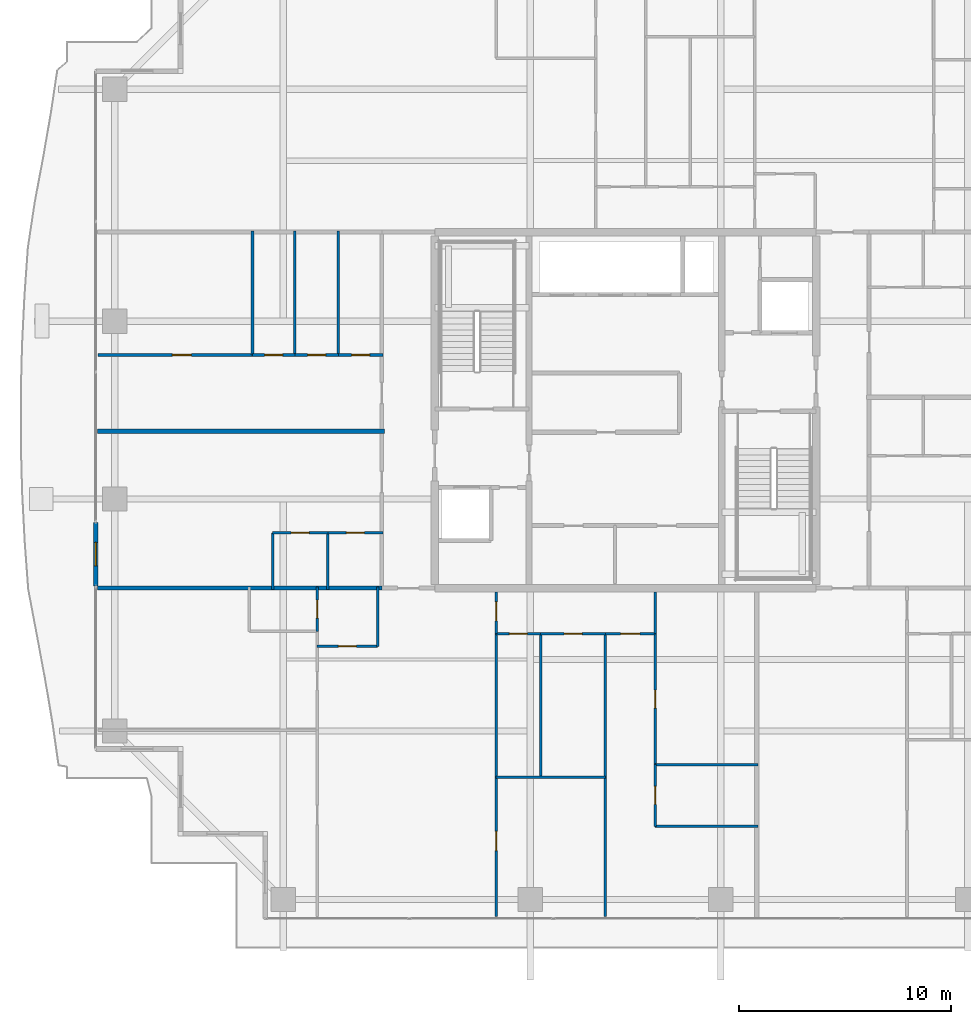
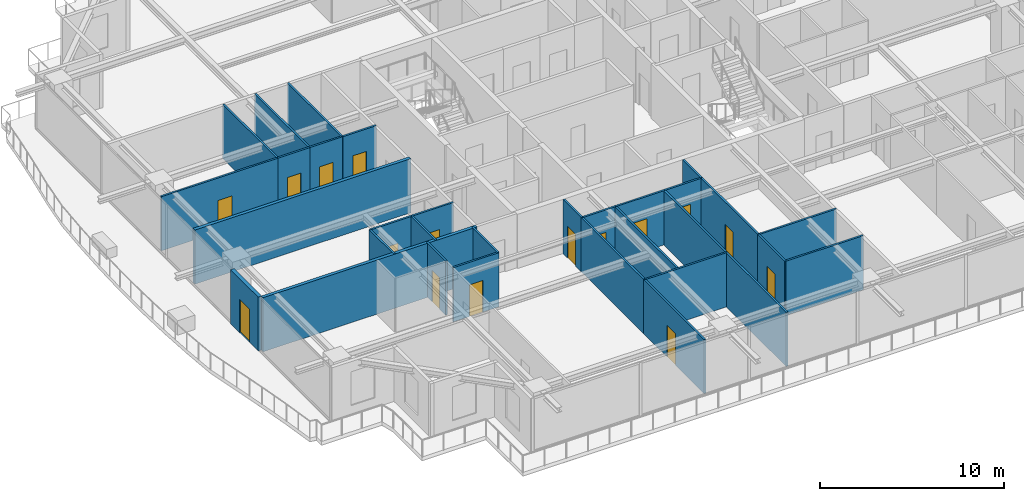
# One storey, part 27 of 38: 31 walls, 16 doors, 16 openings.
"""IFC4 building model written with IfcOpenShell, lengths in metres."""

from ifc_helpers import new_model, si_unit, direction, frame, frame_2d, origin, place, context, subcontext, project, spatial, rectangle, extrude, source, transform, mapped, material, layer, layer_set, type_object, element, fill, save


model = new_model("IFC4")

# Units and contexts
model_context = context("Model", 3, precision=1e-05, world=origin(), true_north=direction((0.0, 1.0)))
body_context = subcontext(model_context, "Body", "Model", "MODEL_VIEW")
ifc_project = project(units=[si_unit("LENGTHUNIT", "METRE"), si_unit("AREAUNIT", "SQUARE_METRE"), si_unit("VOLUMEUNIT", "CUBIC_METRE"), si_unit("PLANEANGLEUNIT", "RADIAN"), si_unit("MASSUNIT", "GRAM", prefix="KILO")], contexts=[model_context])

# Site, building, storey
site_placement = place(None, origin())
site = spatial("IfcSite", under=ifc_project, at=site_placement, CompositionType="ELEMENT")
building_placement = place(site_placement, origin())
building = spatial("IfcBuilding", under=site, at=building_placement, Name="Serunith Strait Residences", CompositionType="ELEMENT")
storey_placement = place(building_placement, frame((0.0, 0.0, 268.199951171875)))
storey = spatial("IfcBuildingStorey", under=building, at=storey_placement, Name="L67", CompositionType="ELEMENT", Elevation=268.199951171875)

# Wall, opening, door
ifc_material_1 = material(Name="Pale-Champagne Aluminium Insulated Panel", Category="aluminium")
ifc_layer_1 = layer(ifc_material_1, 0.219970703125, Name="Pale-Champagne Aluminium Insulated Panel")
ifc_layer_set_1 = layer_set([ifc_layer_1], Name="Pale-Champagne Aluminium Insulated Panel")
wall_type_1 = type_object("IfcWallType", Name="EW-ALUM-220", PredefinedType="ELEMENTEDWALL", material=ifc_layer_set_1)
wall_1_placement = place(storey_placement, frame((7.39990234375, 19.89990234375, 0.0), z_axis=(0.0, 0.0, 1.0), x_axis=(0.0, -1.0, 0.0)))
wall_1 = element("IfcWall", 1, at=wall_1_placement, inside=storey, type_object=wall_type_1, Name="L67 W Facade Pier Wall", PredefinedType="ELEMENTEDWALL", context=body_context, shape_type="SweptSolid", body=[
    extrude(rectangle(XDim=3.0, YDim=0.219970703125, at=frame_2d((1.5, 0.0))), origin(), (0.0, 0.0, 1.0), 3.574951171875),
])
opening_1_placement = place(wall_1_placement, frame((0.949951171875, 0.0, 0.0)))
opening_1 = element("IfcOpeningElement", 2, at=opening_1_placement, cuts=wall_1, Name="Opening ED-03", PredefinedType="OPENING", context=body_context, shape_type="SweptSolid", body=[
    extrude(rectangle(XDim=1.10009765625, YDim=2.199951171875, at=frame_2d((0.550048828125, 1.10009765625))), frame((0.0, 0.1201171875, 0.0), z_axis=(0.0, -1.0, 0.0), x_axis=(1.0, 0.0, 0.0)), (0.0, 0.0, 1.0), 0.239990234375),
])
ifc_material_2 = material(Name="Thermally-Broken Aluminium Glazed Balcony Door", Category="aluminium")
door_type_1 = type_object("IfcDoorType", Name="ED-BALC-1100", OperationType="NOTDEFINED", PredefinedType="DOOR", material=ifc_material_2)
shared_shape_1 = source(origin(), body_context, "Body", "SweptSolid", [
    extrude(rectangle(XDim=1.10009765625, YDim=2.199951171875, at=frame_2d((0.550048828125, 1.10009765625))), frame((0.0, 0.02490234375, 0.0), z_axis=(0.0, -1.0, 0.0), x_axis=(1.0, 0.0, 0.0)), (0.0, 0.0, 1.0), 0.050048828125),
])
door_1_placement = place(opening_1_placement, origin())
door_1 = element("IfcDoor", 3, at=door_1_placement, inside=storey, type_object=door_type_1, Name="L67 W Vertical-Forest Balcony Door", OperationType="SINGLE_SWING_LEFT", OverallHeight=2.199951171875, OverallWidth=1.10009765625, PredefinedType="DOOR", context=body_context, shape_type="MappedRepresentation", body=[
    mapped(shared_shape_1, transform((0.0, 0.0, 0.0), scale=1.0)),
])
fill(opening_1, door_1)

ifc_material_3 = material(Name="Lightweight steel-stud gypsum partition", Category="steel")
ifc_layer_2 = layer(ifc_material_3, 0.1201171875, Name="Lightweight steel-stud gypsum partition")
ifc_layer_set_2 = layer_set([ifc_layer_2], Name="Lightweight steel-stud gypsum partition")
wall_type_2 = type_object("IfcWallType", Name="IW-PART-120", PredefinedType="PARTITIONING", material=ifc_layer_set_2)
wall_2_placement = place(storey_placement, frame((17.85009765625, 14.050048828125, 0.0), z_axis=(0.0, 0.0, 1.0), x_axis=(1.0, 0.0, 0.0)))
wall_2 = element("IfcWall", 4, at=wall_2_placement, inside=storey, type_object=wall_type_2, Name="L67 Partition Wall 031", PredefinedType="PARTITIONING", context=body_context, shape_type="SweptSolid", body=[
    extrude(rectangle(XDim=2.849853515625, YDim=0.1201171875, at=frame_2d((1.4248046875, 0.0))), origin(), (0.0, 0.0, 1.0), 3.590087890625),
])
opening_2_placement = place(wall_2_placement, frame((1.0, 0.0, 0.0)))
opening_2 = element("IfcOpeningElement", 5, at=opening_2_placement, cuts=wall_2, Name="Opening D-RM850", PredefinedType="OPENING", context=body_context, shape_type="SweptSolid", body=[
    extrude(rectangle(XDim=0.85009765625, YDim=2.10009765625, at=frame_2d((0.425048828125, 1.050048828125))), frame((0.0, 0.070068359375, 0.0), z_axis=(0.0, -1.0, 0.0), x_axis=(1.0, 0.0, 0.0)), (0.0, 0.0, 1.0), 0.14013671875),
])
ifc_material_4 = material(Name="Engineered timber flush study and kitchen door", Category="wood")
door_type_2 = type_object("IfcDoorType", Name="ID-ROOM-850", OperationType="NOTDEFINED", PredefinedType="DOOR", material=ifc_material_4)
shared_shape_2 = source(origin(), body_context, "Body", "SweptSolid", [
    extrude(rectangle(XDim=0.85009765625, YDim=2.10009765625, at=frame_2d((0.425048828125, 1.050048828125))), frame((0.0, 0.02490234375, 0.0), z_axis=(0.0, -1.0, 0.0), x_axis=(1.0, 0.0, 0.0)), (0.0, 0.0, 1.0), 0.050048828125),
])
door_2_placement = place(opening_2_placement, origin())
door_2 = element("IfcDoor", 6, at=door_2_placement, inside=storey, type_object=door_type_2, Name="L67 Kitchen 6701 Door", OperationType="SINGLE_SWING_LEFT", OverallHeight=2.10009765625, OverallWidth=0.85009765625, PredefinedType="DOOR", context=body_context, shape_type="MappedRepresentation", body=[
    mapped(shared_shape_2, transform((0.0, 0.0, 0.0), scale=1.0)),
])
fill(opening_2, door_2)

# Wall
wall_3_placement = place(storey_placement, frame((20.699951171875, 14.050048828125, 0.0), z_axis=(0.0, 0.0, 1.0), x_axis=(0.0, 1.0, 0.0)))
element("IfcWall", 7, at=wall_3_placement, inside=storey, type_object=wall_type_2, Name="L67 Partition Wall 032", PredefinedType="PARTITIONING", context=body_context, shape_type="SweptSolid", body=[
    extrude(rectangle(XDim=2.81005859375, YDim=0.1201171875, at=frame_2d((1.405029296875, 0.0))), origin(), (0.0, 0.0, 1.0), 3.590087890625),
])

# Wall, opening, door
wall_4_placement = place(storey_placement, frame((17.85009765625, 14.751953125, 0.0), z_axis=(0.0, 0.0, 1.0), x_axis=(0.0, 1.0, 0.0)))
wall_4 = element("IfcWall", 8, at=wall_4_placement, inside=storey, type_object=wall_type_2, Name="L67 Partition Wall 038", PredefinedType="PARTITIONING", context=body_context, shape_type="SweptSolid", body=[
    extrude(rectangle(XDim=2.108154296875, YDim=0.1201171875, at=frame_2d((1.05419921875, 0.0))), origin(), (0.0, 0.0, 1.0), 3.590087890625),
])
opening_3_placement = place(wall_4_placement, frame((0.62890625, 0.0, 0.0)))
opening_3 = element("IfcOpeningElement", 9, at=opening_3_placement, cuts=wall_4, Name="Opening D-BTH850", PredefinedType="OPENING", context=body_context, shape_type="SweptSolid", body=[
    extrude(rectangle(XDim=0.85009765625, YDim=2.10009765625, at=frame_2d((0.425048828125, 1.050048828125))), frame((0.0, 0.070068359375, 0.0), z_axis=(0.0, -1.0, 0.0), x_axis=(1.0, 0.0, 0.0)), (0.0, 0.0, 1.0), 0.14013671875),
])
ifc_material_5 = material(Name="Moisture-resistant timber bathroom door", Category="wood")
door_type_3 = type_object("IfcDoorType", Name="ID-BATH-850", OperationType="NOTDEFINED", PredefinedType="DOOR", material=ifc_material_5)
door_3_placement = place(opening_3_placement, origin())
door_3 = element("IfcDoor", 10, at=door_3_placement, inside=storey, type_object=door_type_3, Name="L67 Bathroom 6701 Door", OperationType="SINGLE_SWING_RIGHT", OverallHeight=2.10009765625, OverallWidth=0.85009765625, PredefinedType="DOOR", context=body_context, shape_type="MappedRepresentation", body=[
    mapped(shared_shape_2, transform((0.0, 0.0, 0.0), scale=1.0)),
])
fill(opening_3, door_3)

wall_5_placement = place(storey_placement, frame((26.300048828125, 14.64990234375, 0.0), z_axis=(0.0, 0.0, 1.0), x_axis=(0.0, 1.0, 0.0)))
wall_5 = element("IfcWall", 11, at=wall_5_placement, inside=storey, type_object=wall_type_2, Name="L67 Partition Wall 039", PredefinedType="PARTITIONING", context=body_context, shape_type="SweptSolid", body=[
    extrude(rectangle(XDim=1.97509765625, YDim=0.1201171875, at=frame_2d((0.987548828125, 0.0))), origin(), (0.0, 0.0, 1.0), 3.590087890625),
])
opening_4_placement = place(wall_5_placement, frame((0.60107421875, 0.0, 0.0)))
opening_4 = element("IfcOpeningElement", 12, at=opening_4_placement, cuts=wall_5, Name="Opening D-RM900", PredefinedType="OPENING", context=body_context, shape_type="SweptSolid", body=[
    extrude(rectangle(XDim=0.89990234375, YDim=2.10009765625, at=frame_2d((0.449951171875, 1.050048828125))), frame((0.0, 0.070068359375, 0.0), z_axis=(0.0, -1.0, 0.0), x_axis=(1.0, 0.0, 0.0)), (0.0, 0.0, 1.0), 0.14013671875),
])
ifc_material_6 = material(Name="Engineered timber flush bedroom door", Category="wood")
door_type_4 = type_object("IfcDoorType", Name="ID-ROOM-900", OperationType="NOTDEFINED", PredefinedType="DOOR", material=ifc_material_6)
shared_shape_3 = source(origin(), body_context, "Body", "SweptSolid", [
    extrude(rectangle(XDim=0.89990234375, YDim=2.10009765625, at=frame_2d((0.449951171875, 1.050048828125))), frame((0.0, 0.02490234375, 0.0), z_axis=(0.0, -1.0, 0.0), x_axis=(1.0, 0.0, 0.0)), (0.0, 0.0, 1.0), 0.050048828125),
])
door_4_placement = place(opening_4_placement, origin())
door_4 = element("IfcDoor", 13, at=door_4_placement, inside=storey, type_object=door_type_4, Name="L67 Hall E 6701 Door", OperationType="SINGLE_SWING_LEFT", OverallHeight=2.10009765625, OverallWidth=0.89990234375, PredefinedType="DOOR", context=body_context, shape_type="MappedRepresentation", body=[
    mapped(shared_shape_3, transform((0.0, 0.0, 0.0), scale=1.0)),
])
fill(opening_4, door_4)

wall_6_placement = place(storey_placement, frame((26.300048828125, 1.294921875, 0.0), z_axis=(0.0, 0.0, 1.0), x_axis=(0.0, 1.0, 0.0)))
wall_6 = element("IfcWall", 14, at=wall_6_placement, inside=storey, type_object=wall_type_2, Name="L67 Partition Wall 040", PredefinedType="PARTITIONING", context=body_context, shape_type="SweptSolid", body=[
    extrude(rectangle(XDim=6.565185546875, YDim=0.1201171875, at=frame_2d((3.28271484375, 0.0))), origin(), (0.0, 0.0, 1.0), 3.590087890625),
])
opening_5_placement = place(wall_6_placement, frame((3.115966796875, 0.0, 0.0)))
opening_5 = element("IfcOpeningElement", 15, at=opening_5_placement, cuts=wall_6, Name="Opening D-RM900", PredefinedType="OPENING", context=body_context, shape_type="SweptSolid", body=[
    extrude(rectangle(XDim=0.89990234375, YDim=2.10009765625, at=frame_2d((0.449951171875, 1.050048828125))), frame((0.0, 0.070068359375, 0.0), z_axis=(0.0, -1.0, 0.0), x_axis=(1.0, 0.0, 0.0)), (0.0, 0.0, 1.0), 0.14013671875),
])
door_5_placement = place(opening_5_placement, origin())
door_5 = element("IfcDoor", 16, at=door_5_placement, inside=storey, type_object=door_type_4, Name="L67 Formal Dining Room 2 6701 Door", OperationType="SINGLE_SWING_RIGHT", OverallHeight=2.10009765625, OverallWidth=0.89990234375, PredefinedType="DOOR", context=body_context, shape_type="MappedRepresentation", body=[
    mapped(shared_shape_3, transform((0.0, 0.0, 0.0), scale=1.0)),
])
fill(opening_5, door_5)

# Walls
wall_7_placement = place(storey_placement, frame((26.300048828125, 7.862060546875, 0.0), z_axis=(0.0, 0.0, 1.0), x_axis=(0.0, 1.0, 0.0)))
element("IfcWall", 17, at=wall_7_placement, inside=storey, type_object=wall_type_2, Name="L67 Partition Wall 041", PredefinedType="PARTITIONING", context=body_context, shape_type="SweptSolid", body=[
    extrude(rectangle(XDim=6.785888671875, YDim=0.1201171875, at=frame_2d((3.39306640625, 0.0))), origin(), (0.0, 0.0, 1.0), 3.590087890625),
])
wall_8_placement = place(storey_placement, frame((26.300048828125, 7.860107421875, 0.0), z_axis=(0.0, 0.0, 1.0), x_axis=(1.0, 0.0, 0.0)))
element("IfcWall", 18, at=wall_8_placement, inside=storey, type_object=wall_type_2, Name="L67 Partition Wall 042", PredefinedType="PARTITIONING", context=body_context, shape_type="SweptSolid", body=[
    extrude(rectangle(XDim=5.14990234375, YDim=0.1201171875, at=frame_2d((2.574951171875, 0.0))), origin(), (0.0, 0.0, 1.0), 3.590087890625),
])
wall_9_placement = place(storey_placement, frame((31.449951171875, 1.294921875, 0.0), z_axis=(0.0, 0.0, 1.0), x_axis=(0.0, 1.0, 0.0)))
element("IfcWall", 19, at=wall_9_placement, inside=storey, type_object=wall_type_2, Name="L67 Partition Wall 043", PredefinedType="PARTITIONING", context=body_context, shape_type="SweptSolid", body=[
    extrude(rectangle(XDim=13.35498046875, YDim=0.1201171875, at=frame_2d((6.677490234375, 0.0))), origin(), (0.0, 0.0, 1.0), 3.590087890625),
])
wall_10_placement = place(storey_placement, frame((28.39990234375, 7.860107421875, 0.0), z_axis=(0.0, 0.0, 1.0), x_axis=(0.0, 1.0, 0.0)))
element("IfcWall", 20, at=wall_10_placement, inside=storey, type_object=wall_type_2, Name="L67 Partition Wall 044", PredefinedType="PARTITIONING", context=body_context, shape_type="SweptSolid", body=[
    extrude(rectangle(XDim=6.789794921875, YDim=0.1201171875, at=frame_2d((3.39501953125, 0.0))), origin(), (0.0, 0.0, 1.0), 3.590087890625),
])

# Wall, opening, door
wall_11_placement = place(storey_placement, frame((26.300048828125, 14.64990234375, 0.0), z_axis=(0.0, 0.0, 1.0), x_axis=(1.0, 0.0, 0.0)))
wall_11 = element("IfcWall", 21, at=wall_11_placement, inside=storey, type_object=wall_type_2, Name="L67 Partition Wall 045", PredefinedType="PARTITIONING", context=body_context, shape_type="SweptSolid", body=[
    extrude(rectangle(XDim=2.099853515625, YDim=0.1201171875, at=frame_2d((1.0498046875, 0.0))), origin(), (0.0, 0.0, 1.0), 3.590087890625),
])
opening_6_placement = place(wall_11_placement, frame((0.625, 0.0, 0.0)))
opening_6 = element("IfcOpeningElement", 22, at=opening_6_placement, cuts=wall_11, Name="Opening D-RM850", PredefinedType="OPENING", context=body_context, shape_type="SweptSolid", body=[
    extrude(rectangle(XDim=0.85009765625, YDim=2.10009765625, at=frame_2d((0.425048828125, 1.050048828125))), frame((0.0, 0.070068359375, 0.0), z_axis=(0.0, -1.0, 0.0), x_axis=(1.0, 0.0, 0.0)), (0.0, 0.0, 1.0), 0.14013671875),
])
door_6_placement = place(opening_6_placement, origin())
door_6 = element("IfcDoor", 23, at=door_6_placement, inside=storey, type_object=door_type_2, Name="L67 Study 6701 Door", OperationType="SINGLE_SWING_LEFT", OverallHeight=2.10009765625, OverallWidth=0.85009765625, PredefinedType="DOOR", context=body_context, shape_type="MappedRepresentation", body=[
    mapped(shared_shape_2, transform((0.0, 0.0, 0.0), scale=1.0)),
])
fill(opening_6, door_6)

wall_12_placement = place(storey_placement, frame((28.402099609375, 14.64990234375, 0.0), z_axis=(0.0, 0.0, 1.0), x_axis=(1.0, 0.0, 0.0)))
wall_12 = element("IfcWall", 24, at=wall_12_placement, inside=storey, type_object=wall_type_2, Name="L67 Partition Wall 046", PredefinedType="PARTITIONING", context=body_context, shape_type="SweptSolid", body=[
    extrude(rectangle(XDim=3.0478515625, YDim=0.1201171875, at=frame_2d((1.52392578125, 0.0))), origin(), (0.0, 0.0, 1.0), 3.590087890625),
])
opening_7_placement = place(wall_12_placement, frame((1.09912109375, 0.0, 0.0)))
opening_7 = element("IfcOpeningElement", 25, at=opening_7_placement, cuts=wall_12, Name="Opening D-RM850", PredefinedType="OPENING", context=body_context, shape_type="SweptSolid", body=[
    extrude(rectangle(XDim=0.85009765625, YDim=2.10009765625, at=frame_2d((0.425048828125, 1.050048828125))), frame((0.0, 0.070068359375, 0.0), z_axis=(0.0, -1.0, 0.0), x_axis=(1.0, 0.0, 0.0)), (0.0, 0.0, 1.0), 0.14013671875),
])
door_7_placement = place(opening_7_placement, origin())
door_7 = element("IfcDoor", 26, at=door_7_placement, inside=storey, type_object=door_type_2, Name="L67 Formal Dining Room 6701 Door", OperationType="SINGLE_SWING_RIGHT", OverallHeight=2.10009765625, OverallWidth=0.85009765625, PredefinedType="DOOR", context=body_context, shape_type="MappedRepresentation", body=[
    mapped(shared_shape_2, transform((0.0, 0.0, 0.0), scale=1.0)),
])
fill(opening_7, door_7)

wall_13_placement = place(storey_placement, frame((31.451904296875, 14.64990234375, 0.0), z_axis=(0.0, 0.0, 1.0), x_axis=(1.0, 0.0, 0.0)))
wall_13 = element("IfcWall", 27, at=wall_13_placement, inside=storey, type_object=wall_type_2, Name="L67 Partition Wall 047", PredefinedType="PARTITIONING", context=body_context, shape_type="SweptSolid", body=[
    extrude(rectangle(XDim=2.34814453125, YDim=0.1201171875, at=frame_2d((1.174072265625, 0.0))), origin(), (0.0, 0.0, 1.0), 3.590087890625),
])
opening_8_placement = place(wall_13_placement, frame((0.72412109375, 0.0, 0.0)))
opening_8 = element("IfcOpeningElement", 28, at=opening_8_placement, cuts=wall_13, Name="Opening D-RM900", PredefinedType="OPENING", context=body_context, shape_type="SweptSolid", body=[
    extrude(rectangle(XDim=0.89990234375, YDim=2.10009765625, at=frame_2d((0.449951171875, 1.050048828125))), frame((0.0, 0.070068359375, 0.0), z_axis=(0.0, -1.0, 0.0), x_axis=(1.0, 0.0, 0.0)), (0.0, 0.0, 1.0), 0.14013671875),
])
door_8_placement = place(opening_8_placement, origin())
door_8 = element("IfcDoor", 29, at=door_8_placement, inside=storey, type_object=door_type_4, Name="L67 Master Bedroom E 6701 Door", OperationType="SINGLE_SWING_LEFT", OverallHeight=2.10009765625, OverallWidth=0.89990234375, PredefinedType="DOOR", context=body_context, shape_type="MappedRepresentation", body=[
    mapped(shared_shape_3, transform((0.0, 0.0, 0.0), scale=1.0)),
])
fill(opening_8, door_8)

# Walls
for number, where, z_axis, x_axis, name in (
    (30, (33.800048828125, 5.552978515625, 0.0), (0.0, 0.0, 1.0), (1.0, 0.0, 0.0), "L67 Partition Wall 048"),
    (31, (33.800048828125, 8.469970703125, 0.0), (0.0, 0.0, 1.0), (1.0, 0.0, 0.0), "L67 Partition Wall 049"),
):
    element("IfcWall", number, at=place(storey_placement, frame(where, z_axis=z_axis, x_axis=x_axis)), inside=storey, type_object=wall_type_2, Name=name, PredefinedType="PARTITIONING", context=body_context, shape_type="SweptSolid", body=[
        extrude(rectangle(XDim=4.85986328125, YDim=0.1201171875, at=frame_2d((2.429931640625, 0.0))), origin(), (0.0, 0.0, 1.0), 3.590087890625),
    ])

# Wall, opening, door
wall_14_placement = place(storey_placement, frame((33.800048828125, 5.552978515625, 0.0), z_axis=(0.0, 0.0, 1.0), x_axis=(0.0, 1.0, 0.0)))
wall_14 = element("IfcWall", 32, at=wall_14_placement, inside=storey, type_object=wall_type_2, Name="L67 Partition Wall 050", PredefinedType="PARTITIONING", context=body_context, shape_type="SweptSolid", body=[
    extrude(rectangle(XDim=2.9169921875, YDim=0.1201171875, at=frame_2d((1.45849609375, 0.0))), origin(), (0.0, 0.0, 1.0), 3.590087890625),
])
opening_9_placement = place(wall_14_placement, frame((1.033935546875, 0.0, 0.0)))
opening_9 = element("IfcOpeningElement", 33, at=opening_9_placement, cuts=wall_14, Name="Opening D-BTH850", PredefinedType="OPENING", context=body_context, shape_type="SweptSolid", body=[
    extrude(rectangle(XDim=0.85009765625, YDim=2.10009765625, at=frame_2d((0.425048828125, 1.050048828125))), frame((0.0, 0.070068359375, 0.0), z_axis=(0.0, -1.0, 0.0), x_axis=(1.0, 0.0, 0.0)), (0.0, 0.0, 1.0), 0.14013671875),
])
door_9_placement = place(opening_9_placement, origin())
door_9 = element("IfcDoor", 34, at=door_9_placement, inside=storey, type_object=door_type_3, Name="L67 En-suite Bathroom E 6701 Door", OperationType="SINGLE_SWING_RIGHT", OverallHeight=2.10009765625, OverallWidth=0.85009765625, PredefinedType="DOOR", context=body_context, shape_type="MappedRepresentation", body=[
    mapped(shared_shape_2, transform((0.0, 0.0, 0.0), scale=1.0)),
])
fill(opening_9, door_9)

wall_15_placement = place(storey_placement, frame((33.800048828125, 8.471923828125, 0.0), z_axis=(0.0, 0.0, 1.0), x_axis=(0.0, 1.0, 0.0)))
wall_15 = element("IfcWall", 35, at=wall_15_placement, inside=storey, type_object=wall_type_2, Name="L67 Partition Wall 051", PredefinedType="PARTITIONING", context=body_context, shape_type="SweptSolid", body=[
    extrude(rectangle(XDim=6.177978515625, YDim=0.1201171875, at=frame_2d((3.0888671875, 0.0))), origin(), (0.0, 0.0, 1.0), 3.590087890625),
])
opening_10_placement = place(wall_15_placement, frame((2.6640625, 0.0, 0.0)))
opening_10 = element("IfcOpeningElement", 36, at=opening_10_placement, cuts=wall_15, Name="Opening D-RM850", PredefinedType="OPENING", context=body_context, shape_type="SweptSolid", body=[
    extrude(rectangle(XDim=0.85009765625, YDim=2.10009765625, at=frame_2d((0.425048828125, 1.050048828125))), frame((0.0, 0.070068359375, 0.0), z_axis=(0.0, -1.0, 0.0), x_axis=(1.0, 0.0, 0.0)), (0.0, 0.0, 1.0), 0.14013671875),
])
door_10_placement = place(opening_10_placement, origin())
door_10 = element("IfcDoor", 37, at=door_10_placement, inside=storey, type_object=door_type_2, Name="L67 Wardrobe E 6701 Door", OperationType="SINGLE_SWING_LEFT", OverallHeight=2.10009765625, OverallWidth=0.85009765625, PredefinedType="DOOR", context=body_context, shape_type="MappedRepresentation", body=[
    mapped(shared_shape_2, transform((0.0, 0.0, 0.0), scale=1.0)),
])
fill(opening_10, door_10)

# Wall
wall_16_placement = place(storey_placement, frame((33.800048828125, 14.652099609375, 0.0), z_axis=(0.0, 0.0, 1.0), x_axis=(0.0, 1.0, 0.0)))
element("IfcWall", 38, at=wall_16_placement, inside=storey, type_object=wall_type_2, Name="L67 Partition Wall 052", PredefinedType="PARTITIONING", context=body_context, shape_type="SweptSolid", body=[
    extrude(rectangle(XDim=1.972900390625, YDim=0.1201171875, at=frame_2d((0.986328125, 0.0))), origin(), (0.0, 0.0, 1.0), 3.590087890625),
])

# Wall, opening, door
wall_17_placement = place(storey_placement, frame((15.75, 19.39990234375, 0.0), z_axis=(0.0, 0.0, 1.0), x_axis=(1.0, 0.0, 0.0)))
wall_17 = element("IfcWall", 39, at=wall_17_placement, inside=storey, type_object=wall_type_2, Name="L67 Partition Wall 089", PredefinedType="PARTITIONING", context=body_context, shape_type="SweptSolid", body=[
    extrude(rectangle(XDim=2.60009765625, YDim=0.1201171875, at=frame_2d((1.300048828125, 0.0))), origin(), (0.0, 0.0, 1.0), 3.590087890625),
])
opening_11_placement = place(wall_17_placement, frame((0.875, 0.0, 0.0)))
opening_11 = element("IfcOpeningElement", 40, at=opening_11_placement, cuts=wall_17, Name="Opening D-RM850", PredefinedType="OPENING", context=body_context, shape_type="SweptSolid", body=[
    extrude(rectangle(XDim=0.85009765625, YDim=2.10009765625, at=frame_2d((0.425048828125, 1.050048828125))), frame((0.0, 0.070068359375, 0.0), z_axis=(0.0, -1.0, 0.0), x_axis=(1.0, 0.0, 0.0)), (0.0, 0.0, 1.0), 0.14013671875),
])
door_11_placement = place(opening_11_placement, origin())
door_11 = element("IfcDoor", 41, at=door_11_placement, inside=storey, type_object=door_type_2, Name="L67 Kitchen 6704 Door", OperationType="SINGLE_SWING_RIGHT", OverallHeight=2.10009765625, OverallWidth=0.85009765625, PredefinedType="DOOR", context=body_context, shape_type="MappedRepresentation", body=[
    mapped(shared_shape_2, transform((0.0, 0.0, 0.0), scale=1.0)),
])
fill(opening_11, door_11)

wall_18_placement = place(storey_placement, frame((18.35205078125, 19.39990234375, 0.0), z_axis=(0.0, 0.0, 1.0), x_axis=(1.0, 0.0, 0.0)))
wall_18 = element("IfcWall", 42, at=wall_18_placement, inside=storey, type_object=wall_type_2, Name="L67 Partition Wall 090", PredefinedType="PARTITIONING", context=body_context, shape_type="SweptSolid", body=[
    extrude(rectangle(XDim=2.60791015625, YDim=0.1201171875, at=frame_2d((1.303955078125, 0.0))), origin(), (0.0, 0.0, 1.0), 3.590087890625),
])
opening_12_placement = place(wall_18_placement, frame((0.87890625, 0.0, 0.0)))
opening_12 = element("IfcOpeningElement", 43, at=opening_12_placement, cuts=wall_18, Name="Opening D-BTH850", PredefinedType="OPENING", context=body_context, shape_type="SweptSolid", body=[
    extrude(rectangle(XDim=0.85009765625, YDim=2.10009765625, at=frame_2d((0.425048828125, 1.050048828125))), frame((0.0, 0.070068359375, 0.0), z_axis=(0.0, -1.0, 0.0), x_axis=(1.0, 0.0, 0.0)), (0.0, 0.0, 1.0), 0.14013671875),
])
door_12_placement = place(opening_12_placement, origin())
door_12 = element("IfcDoor", 44, at=door_12_placement, inside=storey, type_object=door_type_3, Name="L67 Bathroom 6704 Door", OperationType="SINGLE_SWING_LEFT", OverallHeight=2.10009765625, OverallWidth=0.85009765625, PredefinedType="DOOR", context=body_context, shape_type="MappedRepresentation", body=[
    mapped(shared_shape_2, transform((0.0, 0.0, 0.0), scale=1.0)),
])
fill(opening_12, door_12)

# Walls
for number, where, z_axis, x_axis, name in (
    (45, (18.35009765625, 16.739990234375, 0.0), (0.0, 0.0, 1.0), (0.0, 1.0, 0.0), "L67 Partition Wall 091"),
    (46, (15.75, 16.739990234375, 0.0), (0.0, 0.0, 1.0), (0.0, 1.0, 0.0), "L67 Partition Wall 092"),
):
    element("IfcWall", number, at=place(storey_placement, frame(where, z_axis=z_axis, x_axis=x_axis)), inside=storey, type_object=wall_type_2, Name=name, PredefinedType="PARTITIONING", context=body_context, shape_type="SweptSolid", body=[
        extrude(rectangle(XDim=2.659912109375, YDim=0.1201171875, at=frame_2d((1.330078125, 0.0))), origin(), (0.0, 0.0, 1.0), 3.590087890625),
    ])

# Wall, opening, door
wall_19_placement = place(storey_placement, frame((7.4951171875, 27.800048828125, 0.0), z_axis=(0.0, 0.0, 1.0), x_axis=(1.0, 0.0, 0.0)))
wall_19 = element("IfcWall", 47, at=wall_19_placement, inside=storey, type_object=wall_type_2, Name="L67 Partition Wall 093", PredefinedType="PARTITIONING", context=body_context, shape_type="SweptSolid", body=[
    extrude(rectangle(XDim=7.302001953125, YDim=0.1201171875, at=frame_2d((3.65087890625, 0.0))), origin(), (0.0, 0.0, 1.0), 3.590087890625),
])
opening_13_placement = place(wall_19_placement, frame((3.52099609375, 0.0, 0.0)))
opening_13 = element("IfcOpeningElement", 48, at=opening_13_placement, cuts=wall_19, Name="Opening D-RM900", PredefinedType="OPENING", context=body_context, shape_type="SweptSolid", body=[
    extrude(rectangle(XDim=0.89990234375, YDim=2.10009765625, at=frame_2d((0.449951171875, 1.050048828125))), frame((0.0, 0.070068359375, 0.0), z_axis=(0.0, -1.0, 0.0), x_axis=(1.0, 0.0, 0.0)), (0.0, 0.0, 1.0), 0.14013671875),
])
door_13_placement = place(opening_13_placement, origin())
door_13 = element("IfcDoor", 49, at=door_13_placement, inside=storey, type_object=door_type_4, Name="L67 Master Bedroom 1 6705 Door", OperationType="SINGLE_SWING_RIGHT", OverallHeight=2.10009765625, OverallWidth=0.89990234375, PredefinedType="DOOR", context=body_context, shape_type="MappedRepresentation", body=[
    mapped(shared_shape_3, transform((0.0, 0.0, 0.0), scale=1.0)),
])
fill(opening_13, door_13)

# Walls
for number, where, z_axis, x_axis, name in (
    (50, (14.797119140625, 27.800048828125, 0.0), (0.0, 0.0, 1.0), (0.0, 1.0, 0.0), "L67 Partition Wall 094"),
    (51, (16.797119140625, 27.800048828125, 0.0), (0.0, 0.0, 1.0), (0.0, 1.0, 0.0), "L67 Partition Wall 095"),
    (52, (18.85009765625, 27.800048828125, 0.0), (0.0, 0.0, 1.0), (0.0, 1.0, 0.0), "L67 Partition Wall 096"),
):
    element("IfcWall", number, at=place(storey_placement, frame(where, z_axis=z_axis, x_axis=x_axis)), inside=storey, type_object=wall_type_2, Name=name, PredefinedType="PARTITIONING", context=body_context, shape_type="SweptSolid", body=[
        extrude(rectangle(XDim=5.85986328125, YDim=0.1201171875, at=frame_2d((2.929931640625, 0.0))), origin(), (0.0, 0.0, 1.0), 3.590087890625),
    ])

# Wall, opening, door
wall_20_placement = place(storey_placement, frame((14.799072265625, 27.800048828125, 0.0), z_axis=(0.0, 0.0, 1.0), x_axis=(1.0, 0.0, 0.0)))
wall_20 = element("IfcWall", 53, at=wall_20_placement, inside=storey, type_object=wall_type_2, Name="L67 Partition Wall 097", PredefinedType="PARTITIONING", context=body_context, shape_type="SweptSolid", body=[
    extrude(rectangle(XDim=1.998046875, YDim=0.1201171875, at=frame_2d((0.9990234375, 0.0))), origin(), (0.0, 0.0, 1.0), 3.590087890625),
])
opening_14_placement = place(wall_20_placement, frame((0.573974609375, 0.0, 0.0)))
opening_14 = element("IfcOpeningElement", 54, at=opening_14_placement, cuts=wall_20, Name="Opening D-RM850", PredefinedType="OPENING", context=body_context, shape_type="SweptSolid", body=[
    extrude(rectangle(XDim=0.85009765625, YDim=2.10009765625, at=frame_2d((0.425048828125, 1.050048828125))), frame((0.0, 0.070068359375, 0.0), z_axis=(0.0, -1.0, 0.0), x_axis=(1.0, 0.0, 0.0)), (0.0, 0.0, 1.0), 0.14013671875),
])
door_14_placement = place(opening_14_placement, origin())
door_14 = element("IfcDoor", 55, at=door_14_placement, inside=storey, type_object=door_type_2, Name="L67 Dining 6705 Door", OperationType="SINGLE_SWING_LEFT", OverallHeight=2.10009765625, OverallWidth=0.85009765625, PredefinedType="DOOR", context=body_context, shape_type="MappedRepresentation", body=[
    mapped(shared_shape_2, transform((0.0, 0.0, 0.0), scale=1.0)),
])
fill(opening_14, door_14)

wall_21_placement = place(storey_placement, frame((16.799072265625, 27.800048828125, 0.0), z_axis=(0.0, 0.0, 1.0), x_axis=(1.0, 0.0, 0.0)))
wall_21 = element("IfcWall", 56, at=wall_21_placement, inside=storey, type_object=wall_type_2, Name="L67 Partition Wall 098", PredefinedType="PARTITIONING", context=body_context, shape_type="SweptSolid", body=[
    extrude(rectangle(XDim=2.051025390625, YDim=0.1201171875, at=frame_2d((1.025390625, 0.0))), origin(), (0.0, 0.0, 1.0), 3.590087890625),
])
opening_15_placement = place(wall_21_placement, frame((0.60107421875, 0.0, 0.0)))
opening_15 = element("IfcOpeningElement", 57, at=opening_15_placement, cuts=wall_21, Name="Opening D-RM850", PredefinedType="OPENING", context=body_context, shape_type="SweptSolid", body=[
    extrude(rectangle(XDim=0.85009765625, YDim=2.10009765625, at=frame_2d((0.425048828125, 1.050048828125))), frame((0.0, 0.070068359375, 0.0), z_axis=(0.0, -1.0, 0.0), x_axis=(1.0, 0.0, 0.0)), (0.0, 0.0, 1.0), 0.14013671875),
])
door_15_placement = place(opening_15_placement, origin())
door_15 = element("IfcDoor", 58, at=door_15_placement, inside=storey, type_object=door_type_2, Name="L67 Kitchen 6705 Door", OperationType="SINGLE_SWING_RIGHT", OverallHeight=2.10009765625, OverallWidth=0.85009765625, PredefinedType="DOOR", context=body_context, shape_type="MappedRepresentation", body=[
    mapped(shared_shape_2, transform((0.0, 0.0, 0.0), scale=1.0)),
])
fill(opening_15, door_15)

wall_22_placement = place(storey_placement, frame((18.85205078125, 27.800048828125, 0.0), z_axis=(0.0, 0.0, 1.0), x_axis=(1.0, 0.0, 0.0)))
wall_22 = element("IfcWall", 59, at=wall_22_placement, inside=storey, type_object=wall_type_2, Name="L67 Partition Wall 099", PredefinedType="PARTITIONING", context=body_context, shape_type="SweptSolid", body=[
    extrude(rectangle(XDim=2.10791015625, YDim=0.1201171875, at=frame_2d((1.053955078125, 0.0))), origin(), (0.0, 0.0, 1.0), 3.590087890625),
])
opening_16_placement = place(wall_22_placement, frame((0.62890625, 0.0, 0.0)))
opening_16 = element("IfcOpeningElement", 60, at=opening_16_placement, cuts=wall_22, Name="Opening D-BTH850", PredefinedType="OPENING", context=body_context, shape_type="SweptSolid", body=[
    extrude(rectangle(XDim=0.85009765625, YDim=2.10009765625, at=frame_2d((0.425048828125, 1.050048828125))), frame((0.0, 0.070068359375, 0.0), z_axis=(0.0, -1.0, 0.0), x_axis=(1.0, 0.0, 0.0)), (0.0, 0.0, 1.0), 0.14013671875),
])
door_16_placement = place(opening_16_placement, origin())
door_16 = element("IfcDoor", 61, at=door_16_placement, inside=storey, type_object=door_type_3, Name="L67 Bathroom 6705 Door", OperationType="SINGLE_SWING_LEFT", OverallHeight=2.10009765625, OverallWidth=0.85009765625, PredefinedType="DOOR", context=body_context, shape_type="MappedRepresentation", body=[
    mapped(shared_shape_2, transform((0.0, 0.0, 0.0), scale=1.0)),
])
fill(opening_16, door_16)

# Walls
ifc_material_7 = material(Name="Twin-stud acoustic gypsum board partition")
ifc_layer_3 = layer(ifc_material_7, 0.199951171875, Name="Twin-stud acoustic gypsum board partition")
ifc_layer_set_3 = layer_set([ifc_layer_3], Name="Twin-stud acoustic gypsum board partition")
wall_type_3 = type_object("IfcWallType", Name="IW-PARTY-200", PredefinedType="PARTITIONING", material=ifc_layer_set_3)
wall_23_placement = place(storey_placement, frame((7.48193359375, 24.199951171875, 0.0), z_axis=(0.0, 0.0, 1.0), x_axis=(1.0, 0.0, 0.0)))
element("IfcWall", 62, at=wall_23_placement, inside=storey, type_object=wall_type_3, Name="L67 Partition Wall 019", PredefinedType="PARTITIONING", context=body_context, shape_type="SweptSolid", body=[
    extrude(rectangle(XDim=13.5380859375, YDim=0.199951171875, at=frame_2d((6.76904296875, 0.0))), origin(), (0.0, 0.0, 1.0), 3.590087890625),
])
wall_24_placement = place(storey_placement, frame((7.48193359375, 16.800048828125, 0.0), z_axis=(0.0, 0.0, 1.0), x_axis=(1.0, 0.0, 0.0)))
element("IfcWall", 63, at=wall_24_placement, inside=storey, type_object=wall_type_3, Name="L67 Partition Wall 021", PredefinedType="PARTITIONING", context=body_context, shape_type="SweptSolid", body=[
    extrude(rectangle(XDim=13.41796875, YDim=0.199951171875, at=frame_2d((6.708984375, 0.0))), origin(), (0.0, 0.0, 1.0), 3.590087890625),
])

save(model, "model.ifc")
